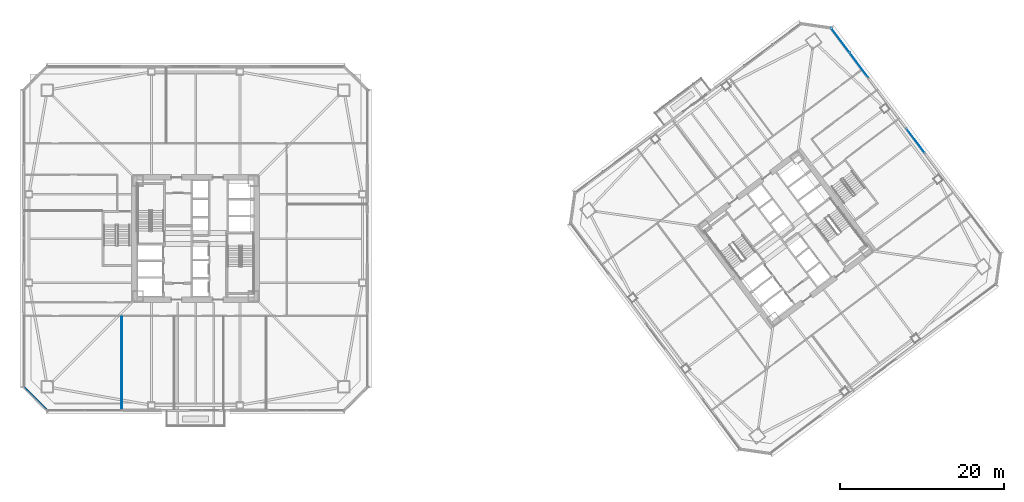
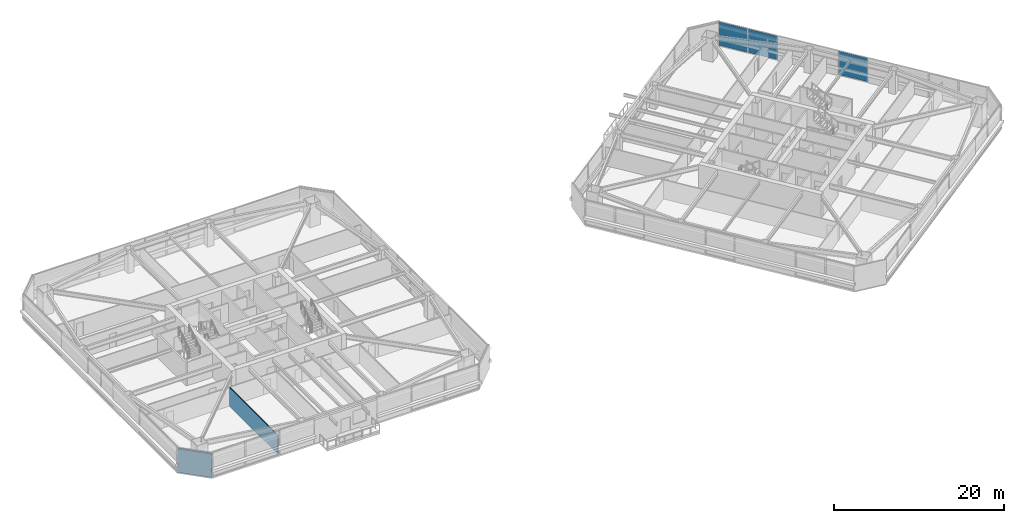
# One storey, part 32 of 44: 3 plates, 2 walls, 2 elements without a shape of their own.
"""IFC4 building model written with IfcOpenShell, lengths in metres."""

from ifc_helpers import new_model, si_unit, direction, frame, frame_2d, origin, origin_2d, place, context, subcontext, project, spatial, rectangle, extrude, material, layer, layer_set, type_object, element, aggregate, save


model = new_model("IFC4")

# Units and contexts
model_context = context("Model", 3, precision=1e-05, world=origin(), true_north=direction((0.0, 1.0)))
body_context = subcontext(model_context, "Body", "Model", "MODEL_VIEW")
ifc_project = project(units=[si_unit("LENGTHUNIT", "METRE"), si_unit("AREAUNIT", "SQUARE_METRE"), si_unit("VOLUMEUNIT", "CUBIC_METRE"), si_unit("PLANEANGLEUNIT", "RADIAN"), si_unit("MASSUNIT", "GRAM", prefix="KILO")], contexts=[model_context])

# Site, building, storey
site_placement = place(None, origin())
site = spatial("IfcSite", under=ifc_project, at=site_placement, CompositionType="ELEMENT")
building_placement = place(site_placement, origin())
building = spatial("IfcBuilding", under=site, at=building_placement, Name="Tashvorn Skyway Center", CompositionType="ELEMENT")
storey_placement = place(building_placement, frame((0.0, 0.0, 92.050048828125)))
storey = spatial("IfcBuildingStorey", under=building, at=storey_placement, Name="L24", CompositionType="ELEMENT", Elevation=92.050048828125)

# Curtain wall, plates
ifc_material_1 = material(Name="Thermally broken bronze-anodized aluminium 6063-T6", Category="aluminium")
curtain_wall_type = type_object("IfcCurtainWallType", Name="CW-CW-Z2", PredefinedType="NOTDEFINED", material=ifc_material_1)
curtain_wall_1_placement = place(storey_placement, origin())
curtain_wall_1 = element("IfcCurtainWall", 1, at=curtain_wall_1_placement, inside=storey, type_object=curtain_wall_type, Name="Tower 2 L24 East Unitised Curtain Wall Glazing Group 1", PredefinedType="NOTDEFINED")
ifc_material_2 = material(Name="Low-E solar-control double insulating safety glass", Category="glass")
ifc_layer_1 = layer(ifc_material_2, 0.0439453125)
ifc_layer_set_1 = layer_set([ifc_layer_1], Name="Low-E solar-control double insulating safety glass")
plate_type = type_object("IfcPlateType", Name="CWP-CW-Z2", PredefinedType="CURTAIN_PANEL", material=ifc_layer_set_1)
plate_1_placement = place(storey_placement, frame((120.699951171875, 56.199951171875, 0.080078125), z_axis=(0.0, 0.0, 1.0), x_axis=(0.600000000002, -0.799999999998, 0.0)))
plate_1 = element("IfcPlate", 2, at=plate_1_placement, type_object=plate_type, Name="CW-Z2 panel 1.1", PredefinedType="CURTAIN_PANEL", context=body_context, shape_type="SweptSolid", body=[
    extrude(rectangle(XDim=3.719970703125, YDim=0.0439453125, at=origin_2d()), origin(), (0.0, 0.0, 1.0), 3.389892578125),
])
plate_2_placement = place(storey_placement, frame((122.97998046875, 53.159912109375, 0.080078125), z_axis=(0.0, 0.0, 1.0), x_axis=(0.600000000002, -0.799999999998, 0.0)))
plate_2 = element("IfcPlate", 3, at=plate_2_placement, type_object=plate_type, Name="CW-Z2 panel 2.1", PredefinedType="CURTAIN_PANEL", context=body_context, shape_type="SweptSolid", body=[
    extrude(rectangle(XDim=3.719970703125, YDim=0.0439453125, at=origin_2d()), origin(), (0.0, 0.0, 1.0), 3.389892578125),
])
aggregate(curtain_wall_1, [plate_1, plate_2])

# Curtain wall, plate
curtain_wall_2_placement = place(storey_placement, origin())
curtain_wall_2 = element("IfcCurtainWall", 4, at=curtain_wall_2_placement, inside=storey, type_object=curtain_wall_type, Name="Tower 2 L24 East Unitised Curtain Wall Glazing Group 2", PredefinedType="NOTDEFINED")
plate_3_placement = place(storey_placement, frame((129.904052734375, 43.927978515625, 0.080078125), z_axis=(0.0, 0.0, 1.0), x_axis=(0.600000000002, -0.799999999998, 0.0)))
plate_3 = element("IfcPlate", 5, at=plate_3_placement, type_object=plate_type, Name="CW-Z2 panel 1.1", PredefinedType="CURTAIN_PANEL", context=body_context, shape_type="SweptSolid", body=[
    extrude(rectangle(XDim=3.679931640625, YDim=0.0439453125, at=origin_2d()), origin(), (0.0, 0.0, 1.0), 3.389892578125),
])
aggregate(curtain_wall_2, [plate_3])

# Walls
ifc_material_3 = material(Name="Precast concrete C40/50", Category="concrete")
ifc_layer_2 = layer(ifc_material_3, 0.280029296875)
ifc_layer_set_2 = layer_set([ifc_layer_2], Name="Precast concrete C40/50")
wall_type_1 = type_object("IfcWallType", Name="WALL-EXT-280", PredefinedType="SOLIDWALL", material=ifc_layer_set_2)
wall_1_placement = place(storey_placement, frame((23.89990234375, 11.0, 0.0), z_axis=(0.0, 0.0, 1.0), x_axis=(-0.707106781187, 0.707106781187, 0.0)))
element("IfcWall", 6, at=wall_1_placement, inside=storey, type_object=wall_type_1, Name="Tower 1 L24 SW Precast Chamfer Wall", PredefinedType="SOLIDWALL", context=body_context, shape_type="SweptSolid", body=[
    extrude(rectangle(XDim=4.10107421875, YDim=0.280029296875, at=frame_2d((2.050537109375, 0.0))), origin(), (0.0, 0.0, 1.0), 3.349853515625),
])
ifc_material_4 = material(Name="Gypsum board on cold-formed steel stud framing", Category="steel")
ifc_layer_3 = layer(ifc_material_4, 0.110107421875)
ifc_layer_set_3 = layer_set([ifc_layer_3], Name="Gypsum board on cold-formed steel stud framing")
wall_type_2 = type_object("IfcWallType", Name="WALL-PART-110", PredefinedType="PARTITIONING", material=ifc_layer_set_3)
wall_2_placement = place(storey_placement, frame((33.0, 11.169921875, 0.0), z_axis=(0.0, 0.0, 1.0), x_axis=(0.0, 1.0, 0.0)))
element("IfcWall", 7, at=wall_2_placement, inside=storey, type_object=wall_type_2, Name="Tower 1 L24 South Suite Partition 1", PredefinedType="PARTITIONING", context=body_context, shape_type="SweptSolid", body=[
    extrude(rectangle(XDim=11.300048828125, YDim=0.110107421875, at=frame_2d((5.64990234375, 0.0))), origin(), (0.0, 0.0, 1.0), 2.702880859375),
])

save(model, "model.ifc")
